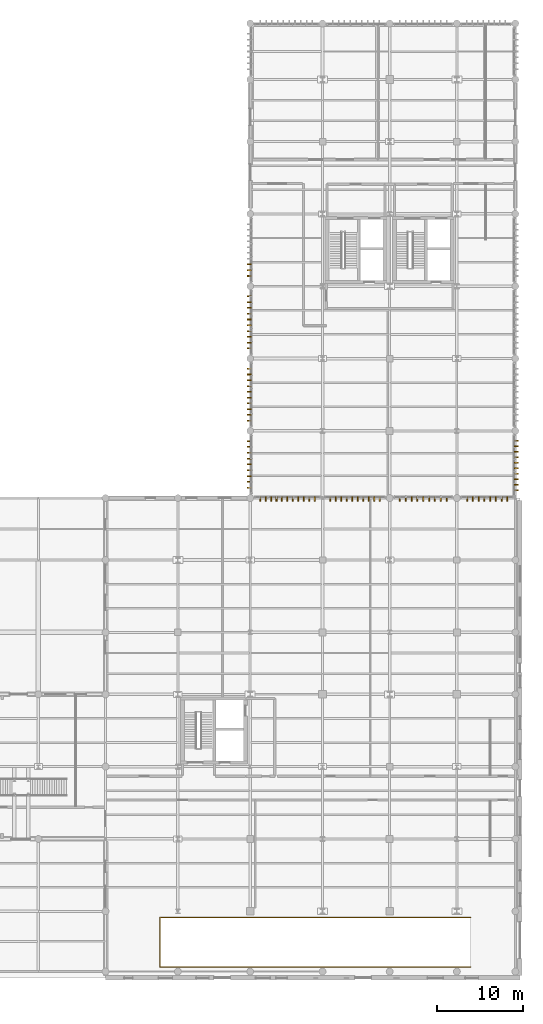
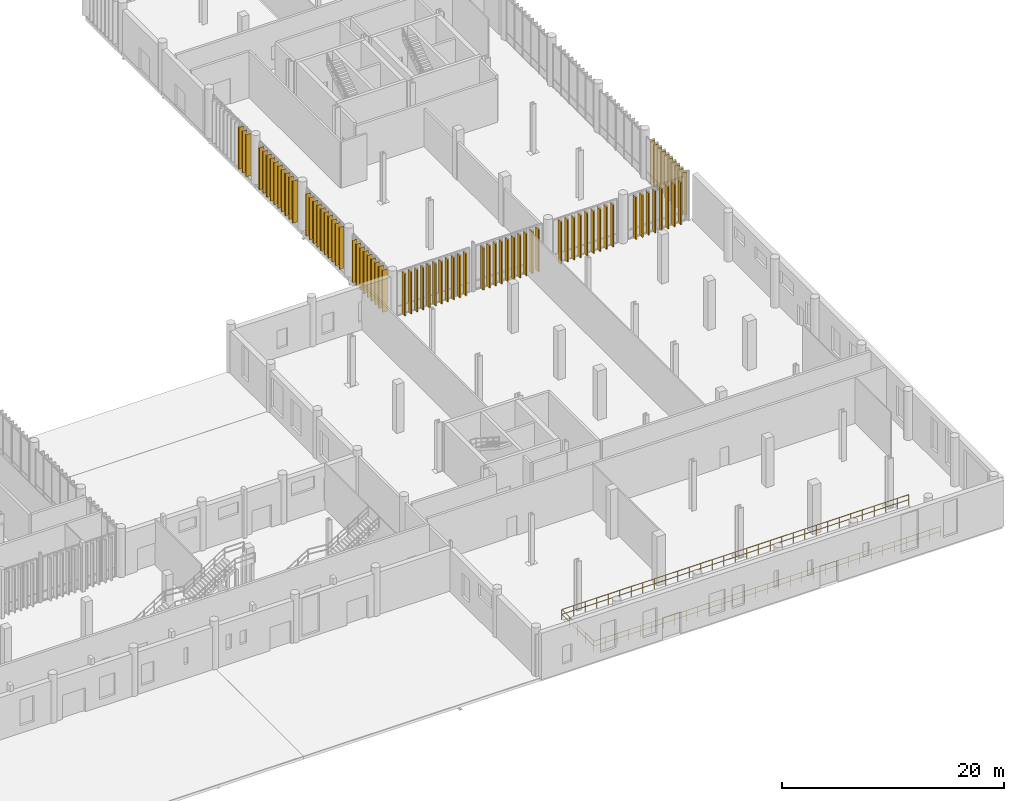
# One storey, part 107 of 112: 80 coverings, 1 railing.
"""IFC4 building model written with IfcOpenShell, lengths in metres."""

from ifc_helpers import new_model, si_unit, direction, frame, frame_2d, origin_with_axes, origin_2d_with_axis, place, context, subcontext, project, spatial, rectangle, circle, extrude, material, type_object, element, save


model = new_model("IFC4")

# Units and contexts
model_context = context("Model", 3, precision=1e-05, world=origin_with_axes(), true_north=direction((0.0, 1.0)))
body_context = subcontext(model_context, "Body", "Model", "MODEL_VIEW")
ifc_project = project(units=[si_unit("LENGTHUNIT", "METRE"), si_unit("AREAUNIT", "SQUARE_METRE"), si_unit("VOLUMEUNIT", "CUBIC_METRE"), si_unit("PLANEANGLEUNIT", "RADIAN"), si_unit("MASSUNIT", "GRAM", prefix="KILO"), si_unit("THERMODYNAMICTEMPERATUREUNIT", "KELVIN")], contexts=[model_context])

# Site, building, storey
site_placement = place(None, origin_with_axes())
site = spatial("IfcSite", under=ifc_project, at=site_placement, CompositionType="ELEMENT")
building_placement = place(site_placement, origin_with_axes())
building = spatial("IfcBuilding", under=site, at=building_placement, Name="Montbau Bow Law Courts", CompositionType="ELEMENT")
storey_placement = place(building_placement, origin_with_axes())
storey = spatial("IfcBuildingStorey", under=building, at=storey_placement, Name="L00", CompositionType="ELEMENT", Elevation=0.0)

# Coverings
ifc_material_1 = material(Name="Freeze-Thaw Glazed Slate-Grey Ceramic Vertical Louvre", Category="masonry")
covering_type = type_object("IfcCoveringType", Name="CV-LVR-SLT", PredefinedType="CLADDING", material=ifc_material_1)
for number, where, z_axis, x_axis, name in (
    (1, (139.75, 61.93, 0.0), (-1.0, 0.0, 0.0), (0.0, -1.0, 0.0), "CLV-L00-2279:cov_2324"),
    (2, (140.384, 61.93, 0.0), (-1.0, 0.0, 0.0), (0.0, -1.0, 0.0), "CLV-L00-2280:cov_2325"),
    (3, (141.019, 61.93, 0.0), (-1.0, 0.0, 0.0), (0.0, -1.0, 0.0), "CLV-L00-2281:cov_2326"),
    (4, (141.654, 61.93, 0.0), (-1.0, 0.0, 0.0), (0.0, -1.0, 0.0), "CLV-L00-2282:cov_2327"),
    (5, (142.289, 61.93, 0.0), (-1.0, 0.0, 0.0), (0.0, -1.0, 0.0), "CLV-L00-2283:cov_2328"),
    (6, (142.923, 61.93, 0.0), (-1.0, 0.0, 0.0), (0.0, -1.0, 0.0), "CLV-L00-2284:cov_2329"),
    (7, (143.558, 61.93, 0.0), (-1.0, 0.0, 0.0), (0.0, -1.0, 0.0), "CLV-L00-2285:cov_2330"),
    (8, (144.193, 61.93, 0.0), (-1.0, 0.0, 0.0), (0.0, -1.0, 0.0), "CLV-L00-2286:cov_2331"),
    (9, (144.828, 61.93, 0.0), (-1.0, 0.0, 0.0), (0.0, -1.0, 0.0), "CLV-L00-2287:cov_2332"),
    (10, (145.462, 61.93, 0.0), (-1.0, 0.0, 0.0), (0.0, -1.0, 0.0), "CLV-L00-2288:cov_2333"),
    (11, (146.097, 61.93, 0.0), (-1.0, 0.0, 0.0), (0.0, -1.0, 0.0), "CLV-L00-2289:cov_2334"),
    (12, (147.906, 61.93, 0.0), (-1.0, 0.0, 0.0), (0.0, -1.0, 0.0), "CLV-L00-2290:cov_2335"),
    (13, (148.544, 61.93, 0.0), (-1.0, 0.0, 0.0), (0.0, -1.0, 0.0), "CLV-L00-2291:cov_2336"),
    (14, (149.182, 61.93, 0.0), (-1.0, 0.0, 0.0), (0.0, -1.0, 0.0), "CLV-L00-2292:cov_2337"),
    (15, (149.82, 61.93, 0.0), (-1.0, 0.0, 0.0), (0.0, -1.0, 0.0), "CLV-L00-2293:cov_2338"),
    (16, (150.458, 61.93, 0.0), (-1.0, 0.0, 0.0), (0.0, -1.0, 0.0), "CLV-L00-2294:cov_2339"),
    (17, (151.095, 61.93, 0.0), (-1.0, 0.0, 0.0), (0.0, -1.0, 0.0), "CLV-L00-2295:cov_2340"),
    (18, (151.733, 61.93, 0.0), (-1.0, 0.0, 0.0), (0.0, -1.0, 0.0), "CLV-L00-2296:cov_2341"),
    (19, (152.371, 61.93, 0.0), (-1.0, 0.0, 0.0), (0.0, -1.0, 0.0), "CLV-L00-2297:cov_2342"),
    (20, (153.009, 61.93, 0.0), (-1.0, 0.0, 0.0), (0.0, -1.0, 0.0), "CLV-L00-2298:cov_2343"),
    (21, (153.647, 61.93, 0.0), (-1.0, 0.0, 0.0), (0.0, -1.0, 0.0), "CLV-L00-2299:cov_2344"),
    (22, (155.992, 61.93, 0.0), (-1.0, 0.0, 0.0), (0.0, -1.0, 0.0), "CLV-L00-2300:cov_2345"),
    (23, (156.669, 61.93, 0.0), (-1.0, 0.0, 0.0), (0.0, -1.0, 0.0), "CLV-L00-2301:cov_2346"),
    (24, (157.346, 61.93, 0.0), (-1.0, 0.0, 0.0), (0.0, -1.0, 0.0), "CLV-L00-2302:cov_2347"),
    (25, (158.023, 61.93, 0.0), (-1.0, 0.0, 0.0), (0.0, -1.0, 0.0), "CLV-L00-2303:cov_2348"),
    (26, (158.7, 61.93, 0.0), (-1.0, 0.0, 0.0), (0.0, -1.0, 0.0), "CLV-L00-2304:cov_2349"),
    (27, (159.377, 61.93, 0.0), (-1.0, 0.0, 0.0), (0.0, -1.0, 0.0), "CLV-L00-2305:cov_2350"),
    (28, (160.054, 61.93, 0.0), (-1.0, 0.0, 0.0), (0.0, -1.0, 0.0), "CLV-L00-2306:cov_2351"),
    (29, (160.731, 61.93, 0.0), (-1.0, 0.0, 0.0), (0.0, -1.0, 0.0), "CLV-L00-2307:cov_2352"),
    (30, (161.408, 61.93, 0.0), (-1.0, 0.0, 0.0), (0.0, -1.0, 0.0), "CLV-L00-2308:cov_2353"),
    (31, (163.784, 61.93, 0.0), (-1.0, 0.0, 0.0), (0.0, -1.0, 0.0), "CLV-L00-2309:cov_2354"),
    (32, (164.452, 61.93, 0.0), (-1.0, 0.0, 0.0), (0.0, -1.0, 0.0), "CLV-L00-2310:cov_2355"),
    (33, (165.121, 61.93, 0.0), (-1.0, 0.0, 0.0), (0.0, -1.0, 0.0), "CLV-L00-2311:cov_2356"),
    (34, (165.789, 61.93, 0.0), (-1.0, 0.0, 0.0), (0.0, -1.0, 0.0), "CLV-L00-2312:cov_2357"),
    (35, (166.458, 61.93, 0.0), (-1.0, 0.0, 0.0), (0.0, -1.0, 0.0), "CLV-L00-2313:cov_2358"),
    (36, (167.126, 61.93, 0.0), (-1.0, 0.0, 0.0), (0.0, -1.0, 0.0), "CLV-L00-2314:cov_2359"),
    (37, (167.795, 61.93, 0.0), (-1.0, 0.0, 0.0), (0.0, -1.0, 0.0), "CLV-L00-2315:cov_2360"),
    (38, (168.463, 61.93, 0.0), (-1.0, 0.0, 0.0), (0.0, -1.0, 0.0), "CLV-L00-2316:cov_2361"),
    (39, (138.73, 62.992, 0.0), (0.0, 1.0, 0.0), (-1.0, 0.0, 0.0), "CLV-L00-2353:cov_2398"),
    (40, (138.73, 63.669, 0.0), (0.0, 1.0, 0.0), (-1.0, 0.0, 0.0), "CLV-L00-2354:cov_2399"),
    (41, (138.73, 64.346, 0.0), (0.0, 1.0, 0.0), (-1.0, 0.0, 0.0), "CLV-L00-2355:cov_2400"),
    (42, (138.73, 65.023, 0.0), (0.0, 1.0, 0.0), (-1.0, 0.0, 0.0), "CLV-L00-2356:cov_2401"),
    (43, (138.73, 65.7, 0.0), (0.0, 1.0, 0.0), (-1.0, 0.0, 0.0), "CLV-L00-2357:cov_2402"),
    (44, (138.73, 66.377, 0.0), (0.0, 1.0, 0.0), (-1.0, 0.0, 0.0), "CLV-L00-2358:cov_2403"),
    (45, (138.73, 67.054, 0.0), (0.0, 1.0, 0.0), (-1.0, 0.0, 0.0), "CLV-L00-2359:cov_2404"),
    (46, (138.73, 67.731, 0.0), (0.0, 1.0, 0.0), (-1.0, 0.0, 0.0), "CLV-L00-2360:cov_2405"),
    (47, (138.73, 68.408, 0.0), (0.0, 1.0, 0.0), (-1.0, 0.0, 0.0), "CLV-L00-2361:cov_2406"),
    (48, (138.73, 70.785, 0.0), (0.0, 1.0, 0.0), (-1.0, 0.0, 0.0), "CLV-L00-2362:cov_2407"),
    (49, (138.73, 71.455, 0.0), (0.0, 1.0, 0.0), (-1.0, 0.0, 0.0), "CLV-L00-2363:cov_2408"),
    (50, (138.73, 72.125, 0.0), (0.0, 1.0, 0.0), (-1.0, 0.0, 0.0), "CLV-L00-2364:cov_2409"),
    (51, (138.73, 72.795, 0.0), (0.0, 1.0, 0.0), (-1.0, 0.0, 0.0), "CLV-L00-2365:cov_2410"),
    (52, (138.73, 73.465, 0.0), (0.0, 1.0, 0.0), (-1.0, 0.0, 0.0), "CLV-L00-2366:cov_2411"),
    (53, (138.73, 74.135, 0.0), (0.0, 1.0, 0.0), (-1.0, 0.0, 0.0), "CLV-L00-2367:cov_2412"),
    (54, (138.73, 74.805, 0.0), (0.0, 1.0, 0.0), (-1.0, 0.0, 0.0), "CLV-L00-2368:cov_2413"),
    (55, (138.73, 75.475, 0.0), (0.0, 1.0, 0.0), (-1.0, 0.0, 0.0), "CLV-L00-2369:cov_2414"),
    (56, (138.73, 76.145, 0.0), (0.0, 1.0, 0.0), (-1.0, 0.0, 0.0), "CLV-L00-2370:cov_2415"),
    (57, (138.73, 76.815, 0.0), (0.0, 1.0, 0.0), (-1.0, 0.0, 0.0), "CLV-L00-2371:cov_2416"),
    (58, (138.73, 79.185, 0.0), (0.0, 1.0, 0.0), (-1.0, 0.0, 0.0), "CLV-L00-2372:cov_2417"),
    (59, (138.73, 79.855, 0.0), (0.0, 1.0, 0.0), (-1.0, 0.0, 0.0), "CLV-L00-2373:cov_2418"),
    (60, (138.73, 80.525, 0.0), (0.0, 1.0, 0.0), (-1.0, 0.0, 0.0), "CLV-L00-2374:cov_2419"),
    (61, (138.73, 81.195, 0.0), (0.0, 1.0, 0.0), (-1.0, 0.0, 0.0), "CLV-L00-2375:cov_2420"),
    (62, (138.73, 81.865, 0.0), (0.0, 1.0, 0.0), (-1.0, 0.0, 0.0), "CLV-L00-2376:cov_2421"),
    (63, (138.73, 82.535, 0.0), (0.0, 1.0, 0.0), (-1.0, 0.0, 0.0), "CLV-L00-2377:cov_2422"),
    (64, (138.73, 83.205, 0.0), (0.0, 1.0, 0.0), (-1.0, 0.0, 0.0), "CLV-L00-2378:cov_2423"),
    (65, (138.73, 83.875, 0.0), (0.0, 1.0, 0.0), (-1.0, 0.0, 0.0), "CLV-L00-2379:cov_2424"),
    (66, (138.73, 84.545, 0.0), (0.0, 1.0, 0.0), (-1.0, 0.0, 0.0), "CLV-L00-2380:cov_2425"),
    (67, (138.73, 85.215, 0.0), (0.0, 1.0, 0.0), (-1.0, 0.0, 0.0), "CLV-L00-2381:cov_2426"),
    (68, (138.73, 87.585, 0.0), (0.0, 1.0, 0.0), (-1.0, 0.0, 0.0), "CLV-L00-2382:cov_2427"),
    (69, (138.73, 88.255, 0.0), (0.0, 1.0, 0.0), (-1.0, 0.0, 0.0), "CLV-L00-2383:cov_2428"),
    (70, (138.73, 88.925, 0.0), (0.0, 1.0, 0.0), (-1.0, 0.0, 0.0), "CLV-L00-2384:cov_2429"),
    (71, (169.27, 62.706, 0.0), (0.0, -1.0, 0.0), (1.0, 0.0, 0.0), "CLV-L00-2399:cov_2444"),
    (72, (169.27, 63.344, 0.0), (0.0, -1.0, 0.0), (1.0, 0.0, 0.0), "CLV-L00-2400:cov_2445"),
    (73, (169.27, 63.982, 0.0), (0.0, -1.0, 0.0), (1.0, 0.0, 0.0), "CLV-L00-2401:cov_2446"),
    (74, (169.27, 64.62, 0.0), (0.0, -1.0, 0.0), (1.0, 0.0, 0.0), "CLV-L00-2402:cov_2447"),
    (75, (169.27, 65.258, 0.0), (0.0, -1.0, 0.0), (1.0, 0.0, 0.0), "CLV-L00-2403:cov_2448"),
    (76, (169.27, 65.895, 0.0), (0.0, -1.0, 0.0), (1.0, 0.0, 0.0), "CLV-L00-2404:cov_2449"),
    (77, (169.27, 66.533, 0.0), (0.0, -1.0, 0.0), (1.0, 0.0, 0.0), "CLV-L00-2405:cov_2450"),
    (78, (169.27, 67.171, 0.0), (0.0, -1.0, 0.0), (1.0, 0.0, 0.0), "CLV-L00-2406:cov_2451"),
    (79, (169.27, 67.809, 0.0), (0.0, -1.0, 0.0), (1.0, 0.0, 0.0), "CLV-L00-2407:cov_2452"),
    (80, (169.27, 68.447, 0.0), (0.0, -1.0, 0.0), (1.0, 0.0, 0.0), "CLV-L00-2408:cov_2453"),
):
    element("IfcCovering", number, at=place(None, frame(where, z_axis=z_axis, x_axis=x_axis)), inside=storey, type_object=covering_type, Name=name, PredefinedType="CLADDING", context=body_context, shape_type="SweptSolid", body=[
        extrude(rectangle(XDim=0.48, YDim=4.64, at=frame_2d((0.24, 2.32), x_axis=(1.0, 0.0))), frame((0.0, 0.0, -0.06), z_axis=(0.0, 0.0, 1.0), x_axis=(1.0, 0.0, 0.0)), (0.0, 0.0, 1.0), 0.12),
    ])

# Railing
ifc_material_2 = material(Name="Brushed Stainless Steel AISI 316L Guardrail", Category="steel")
railing_type = type_object("IfcRailingType", Name="RL-GRD-1120", PredefinedType="GUARDRAIL", material=ifc_material_2)
railing_placement = place(None, origin_with_axes())
element("IfcRailing", 81, at=railing_placement, inside=storey, type_object=railing_type, Name="GRD-RSP1-VOID:rlg_0298", PredefinedType="GUARDRAIL", context=body_context, shape_type="SweptSolid", body=[
    extrude(circle(Radius=0.025, at=origin_2d_with_axis()), frame((164.2, 7.32, 1.122), z_axis=(-1.0, 0.0, 0.0), x_axis=(0.0, 0.0, 1.0)), (0.0, 0.0, 1.0), 36.0475),
    extrude(circle(Radius=0.022500000000000003, at=origin_2d_with_axis()), frame((164.2, 7.32, 0.5824), z_axis=(-1.0, 0.0, 0.0), x_axis=(0.0, 0.0, 1.0)), (0.0, 0.0, 1.0), 36.0475),
    extrude(circle(Radius=0.022500000000000003, at=origin_2d_with_axis()), frame((164.2, 7.32, 0.0), z_axis=(0.0, 0.0, 1.0), x_axis=(1.0, 0.0, 0.0)), (0.0, 0.0, 1.0), 1.0925),
    extrude(circle(Radius=0.022500000000000003, at=origin_2d_with_axis()), frame((162.997333, 7.32, 0.0), z_axis=(0.0, 0.0, 1.0), x_axis=(1.0, 0.0, 0.0)), (0.0, 0.0, 1.0), 1.0925),
    extrude(circle(Radius=0.022500000000000003, at=origin_2d_with_axis()), frame((161.794667, 7.32, 0.0), z_axis=(0.0, 0.0, 1.0), x_axis=(1.0, 0.0, 0.0)), (0.0, 0.0, 1.0), 1.0925),
    extrude(circle(Radius=0.022500000000000003, at=origin_2d_with_axis()), frame((160.592, 7.32, 0.0), z_axis=(0.0, 0.0, 1.0), x_axis=(1.0, 0.0, 0.0)), (0.0, 0.0, 1.0), 1.0925),
    extrude(circle(Radius=0.022500000000000003, at=origin_2d_with_axis()), frame((159.389333, 7.32, 0.0), z_axis=(0.0, 0.0, 1.0), x_axis=(1.0, 0.0, 0.0)), (0.0, 0.0, 1.0), 1.0925),
    extrude(circle(Radius=0.022500000000000003, at=origin_2d_with_axis()), frame((158.186667, 7.32, 0.0), z_axis=(0.0, 0.0, 1.0), x_axis=(1.0, 0.0, 0.0)), (0.0, 0.0, 1.0), 1.0925),
    extrude(circle(Radius=0.022500000000000003, at=origin_2d_with_axis()), frame((156.984, 7.32, 0.0), z_axis=(0.0, 0.0, 1.0), x_axis=(1.0, 0.0, 0.0)), (0.0, 0.0, 1.0), 1.0925),
    extrude(circle(Radius=0.022500000000000003, at=origin_2d_with_axis()), frame((155.781333, 7.32, 0.0), z_axis=(0.0, 0.0, 1.0), x_axis=(1.0, 0.0, 0.0)), (0.0, 0.0, 1.0), 1.0925),
    extrude(circle(Radius=0.022500000000000003, at=origin_2d_with_axis()), frame((154.578667, 7.32, 0.0), z_axis=(0.0, 0.0, 1.0), x_axis=(1.0, 0.0, 0.0)), (0.0, 0.0, 1.0), 1.0925),
    extrude(circle(Radius=0.022500000000000003, at=origin_2d_with_axis()), frame((153.376, 7.32, 0.0), z_axis=(0.0, 0.0, 1.0), x_axis=(1.0, 0.0, 0.0)), (0.0, 0.0, 1.0), 1.0925),
    extrude(circle(Radius=0.022500000000000003, at=origin_2d_with_axis()), frame((152.173333, 7.32, 0.0), z_axis=(0.0, 0.0, 1.0), x_axis=(1.0, 0.0, 0.0)), (0.0, 0.0, 1.0), 1.0925),
    extrude(circle(Radius=0.022500000000000003, at=origin_2d_with_axis()), frame((150.970667, 7.32, 0.0), z_axis=(0.0, 0.0, 1.0), x_axis=(1.0, 0.0, 0.0)), (0.0, 0.0, 1.0), 1.0925),
    extrude(circle(Radius=0.022500000000000003, at=origin_2d_with_axis()), frame((149.768, 7.32, 0.0), z_axis=(0.0, 0.0, 1.0), x_axis=(1.0, 0.0, 0.0)), (0.0, 0.0, 1.0), 1.0925),
    extrude(circle(Radius=0.022500000000000003, at=origin_2d_with_axis()), frame((148.565333, 7.32, 0.0), z_axis=(0.0, 0.0, 1.0), x_axis=(1.0, 0.0, 0.0)), (0.0, 0.0, 1.0), 1.0925),
    extrude(circle(Radius=0.022500000000000003, at=origin_2d_with_axis()), frame((147.362667, 7.32, 0.0), z_axis=(0.0, 0.0, 1.0), x_axis=(1.0, 0.0, 0.0)), (0.0, 0.0, 1.0), 1.0925),
    extrude(circle(Radius=0.022500000000000003, at=origin_2d_with_axis()), frame((146.16, 7.32, 0.0), z_axis=(0.0, 0.0, 1.0), x_axis=(1.0, 0.0, 0.0)), (0.0, 0.0, 1.0), 1.0925),
    extrude(circle(Radius=0.022500000000000003, at=origin_2d_with_axis()), frame((144.957333, 7.32, 0.0), z_axis=(0.0, 0.0, 1.0), x_axis=(1.0, 0.0, 0.0)), (0.0, 0.0, 1.0), 1.0925),
    extrude(circle(Radius=0.022500000000000003, at=origin_2d_with_axis()), frame((143.754667, 7.32, 0.0), z_axis=(0.0, 0.0, 1.0), x_axis=(1.0, 0.0, 0.0)), (0.0, 0.0, 1.0), 1.0925),
    extrude(circle(Radius=0.022500000000000003, at=origin_2d_with_axis()), frame((142.552, 7.32, 0.0), z_axis=(0.0, 0.0, 1.0), x_axis=(1.0, 0.0, 0.0)), (0.0, 0.0, 1.0), 1.0925),
    extrude(circle(Radius=0.022500000000000003, at=origin_2d_with_axis()), frame((141.349333, 7.32, 0.0), z_axis=(0.0, 0.0, 1.0), x_axis=(1.0, 0.0, 0.0)), (0.0, 0.0, 1.0), 1.0925),
    extrude(circle(Radius=0.022500000000000003, at=origin_2d_with_axis()), frame((140.146667, 7.32, 0.0), z_axis=(0.0, 0.0, 1.0), x_axis=(1.0, 0.0, 0.0)), (0.0, 0.0, 1.0), 1.0925),
    extrude(circle(Radius=0.022500000000000003, at=origin_2d_with_axis()), frame((138.944, 7.32, 0.0), z_axis=(0.0, 0.0, 1.0), x_axis=(1.0, 0.0, 0.0)), (0.0, 0.0, 1.0), 1.0925),
    extrude(circle(Radius=0.022500000000000003, at=origin_2d_with_axis()), frame((137.741333, 7.32, 0.0), z_axis=(0.0, 0.0, 1.0), x_axis=(1.0, 0.0, 0.0)), (0.0, 0.0, 1.0), 1.0925),
    extrude(circle(Radius=0.022500000000000003, at=origin_2d_with_axis()), frame((136.538667, 7.32, 0.0), z_axis=(0.0, 0.0, 1.0), x_axis=(1.0, 0.0, 0.0)), (0.0, 0.0, 1.0), 1.0925),
    extrude(circle(Radius=0.022500000000000003, at=origin_2d_with_axis()), frame((135.336, 7.32, 0.0), z_axis=(0.0, 0.0, 1.0), x_axis=(1.0, 0.0, 0.0)), (0.0, 0.0, 1.0), 1.0925),
    extrude(circle(Radius=0.022500000000000003, at=origin_2d_with_axis()), frame((134.133333, 7.32, 0.0), z_axis=(0.0, 0.0, 1.0), x_axis=(1.0, 0.0, 0.0)), (0.0, 0.0, 1.0), 1.0925),
    extrude(circle(Radius=0.022500000000000003, at=origin_2d_with_axis()), frame((132.930667, 7.32, 0.0), z_axis=(0.0, 0.0, 1.0), x_axis=(1.0, 0.0, 0.0)), (0.0, 0.0, 1.0), 1.0925),
    extrude(circle(Radius=0.022500000000000003, at=origin_2d_with_axis()), frame((131.728, 7.32, 0.0), z_axis=(0.0, 0.0, 1.0), x_axis=(1.0, 0.0, 0.0)), (0.0, 0.0, 1.0), 1.0925),
    extrude(circle(Radius=0.022500000000000003, at=origin_2d_with_axis()), frame((130.525333, 7.32, 0.0), z_axis=(0.0, 0.0, 1.0), x_axis=(1.0, 0.0, 0.0)), (0.0, 0.0, 1.0), 1.0925),
    extrude(circle(Radius=0.022500000000000003, at=origin_2d_with_axis()), frame((129.322667, 7.32, 0.0), z_axis=(0.0, 0.0, 1.0), x_axis=(1.0, 0.0, 0.0)), (0.0, 0.0, 1.0), 1.0925),
    extrude(circle(Radius=0.022500000000000003, at=origin_2d_with_axis()), frame((128.12, 7.32, 0.0), z_axis=(0.0, 0.0, 1.0), x_axis=(1.0, 0.0, 0.0)), (0.0, 0.0, 1.0), 1.0925),
    extrude(circle(Radius=0.025, at=origin_2d_with_axis()), frame((128.12, 7.3525, 1.122), z_axis=(0.0, 1.0, 0.0), x_axis=(0.0, 0.0, 1.0)), (0.0, 0.0, 1.0), 5.695),
    extrude(circle(Radius=0.022500000000000003, at=origin_2d_with_axis()), frame((128.12, 7.3525, 0.5824), z_axis=(0.0, 1.0, 0.0), x_axis=(0.0, 0.0, 1.0)), (0.0, 0.0, 1.0), 5.695),
    extrude(circle(Radius=0.022500000000000003, at=origin_2d_with_axis()), frame((128.12, 8.76, 0.0), z_axis=(0.0, 0.0, 1.0), x_axis=(1.0, 0.0, 0.0)), (0.0, 0.0, 1.0), 1.0925),
    extrude(circle(Radius=0.022500000000000003, at=origin_2d_with_axis()), frame((128.12, 10.2, 0.0), z_axis=(0.0, 0.0, 1.0), x_axis=(1.0, 0.0, 0.0)), (0.0, 0.0, 1.0), 1.0925),
    extrude(circle(Radius=0.022500000000000003, at=origin_2d_with_axis()), frame((128.12, 11.64, 0.0), z_axis=(0.0, 0.0, 1.0), x_axis=(1.0, 0.0, 0.0)), (0.0, 0.0, 1.0), 1.0925),
    extrude(circle(Radius=0.022500000000000003, at=origin_2d_with_axis()), frame((128.12, 13.08, 0.0), z_axis=(0.0, 0.0, 1.0), x_axis=(1.0, 0.0, 0.0)), (0.0, 0.0, 1.0), 1.0925),
    extrude(circle(Radius=0.025, at=origin_2d_with_axis()), frame((128.1525, 13.08, 1.122), z_axis=(1.0, 0.0, 0.0), x_axis=(0.0, 0.0, 1.0)), (0.0, 0.0, 1.0), 36.0475),
    extrude(circle(Radius=0.022500000000000003, at=origin_2d_with_axis()), frame((128.1525, 13.08, 0.5824), z_axis=(1.0, 0.0, 0.0), x_axis=(0.0, 0.0, 1.0)), (0.0, 0.0, 1.0), 36.0475),
    extrude(circle(Radius=0.022500000000000003, at=origin_2d_with_axis()), frame((129.322667, 13.08, 0.0), z_axis=(0.0, 0.0, 1.0), x_axis=(1.0, 0.0, 0.0)), (0.0, 0.0, 1.0), 1.0925),
    extrude(circle(Radius=0.022500000000000003, at=origin_2d_with_axis()), frame((130.525333, 13.08, 0.0), z_axis=(0.0, 0.0, 1.0), x_axis=(1.0, 0.0, 0.0)), (0.0, 0.0, 1.0), 1.0925),
    extrude(circle(Radius=0.022500000000000003, at=origin_2d_with_axis()), frame((131.728, 13.08, 0.0), z_axis=(0.0, 0.0, 1.0), x_axis=(1.0, 0.0, 0.0)), (0.0, 0.0, 1.0), 1.0925),
    extrude(circle(Radius=0.022500000000000003, at=origin_2d_with_axis()), frame((132.930667, 13.08, 0.0), z_axis=(0.0, 0.0, 1.0), x_axis=(1.0, 0.0, 0.0)), (0.0, 0.0, 1.0), 1.0925),
    extrude(circle(Radius=0.022500000000000003, at=origin_2d_with_axis()), frame((134.133333, 13.08, 0.0), z_axis=(0.0, 0.0, 1.0), x_axis=(1.0, 0.0, 0.0)), (0.0, 0.0, 1.0), 1.0925),
    extrude(circle(Radius=0.022500000000000003, at=origin_2d_with_axis()), frame((135.336, 13.08, 0.0), z_axis=(0.0, 0.0, 1.0), x_axis=(1.0, 0.0, 0.0)), (0.0, 0.0, 1.0), 1.0925),
    extrude(circle(Radius=0.022500000000000003, at=origin_2d_with_axis()), frame((136.538667, 13.08, 0.0), z_axis=(0.0, 0.0, 1.0), x_axis=(1.0, 0.0, 0.0)), (0.0, 0.0, 1.0), 1.0925),
    extrude(circle(Radius=0.022500000000000003, at=origin_2d_with_axis()), frame((137.741333, 13.08, 0.0), z_axis=(0.0, 0.0, 1.0), x_axis=(1.0, 0.0, 0.0)), (0.0, 0.0, 1.0), 1.0925),
    extrude(circle(Radius=0.022500000000000003, at=origin_2d_with_axis()), frame((138.944, 13.08, 0.0), z_axis=(0.0, 0.0, 1.0), x_axis=(1.0, 0.0, 0.0)), (0.0, 0.0, 1.0), 1.0925),
    extrude(circle(Radius=0.022500000000000003, at=origin_2d_with_axis()), frame((140.146667, 13.08, 0.0), z_axis=(0.0, 0.0, 1.0), x_axis=(1.0, 0.0, 0.0)), (0.0, 0.0, 1.0), 1.0925),
    extrude(circle(Radius=0.022500000000000003, at=origin_2d_with_axis()), frame((141.349333, 13.08, 0.0), z_axis=(0.0, 0.0, 1.0), x_axis=(1.0, 0.0, 0.0)), (0.0, 0.0, 1.0), 1.0925),
    extrude(circle(Radius=0.022500000000000003, at=origin_2d_with_axis()), frame((142.552, 13.08, 0.0), z_axis=(0.0, 0.0, 1.0), x_axis=(1.0, 0.0, 0.0)), (0.0, 0.0, 1.0), 1.0925),
    extrude(circle(Radius=0.022500000000000003, at=origin_2d_with_axis()), frame((143.754667, 13.08, 0.0), z_axis=(0.0, 0.0, 1.0), x_axis=(1.0, 0.0, 0.0)), (0.0, 0.0, 1.0), 1.0925),
    extrude(circle(Radius=0.022500000000000003, at=origin_2d_with_axis()), frame((144.957333, 13.08, 0.0), z_axis=(0.0, 0.0, 1.0), x_axis=(1.0, 0.0, 0.0)), (0.0, 0.0, 1.0), 1.0925),
    extrude(circle(Radius=0.022500000000000003, at=origin_2d_with_axis()), frame((146.16, 13.08, 0.0), z_axis=(0.0, 0.0, 1.0), x_axis=(1.0, 0.0, 0.0)), (0.0, 0.0, 1.0), 1.0925),
    extrude(circle(Radius=0.022500000000000003, at=origin_2d_with_axis()), frame((147.362667, 13.08, 0.0), z_axis=(0.0, 0.0, 1.0), x_axis=(1.0, 0.0, 0.0)), (0.0, 0.0, 1.0), 1.0925),
    extrude(circle(Radius=0.022500000000000003, at=origin_2d_with_axis()), frame((148.565333, 13.08, 0.0), z_axis=(0.0, 0.0, 1.0), x_axis=(1.0, 0.0, 0.0)), (0.0, 0.0, 1.0), 1.0925),
    extrude(circle(Radius=0.022500000000000003, at=origin_2d_with_axis()), frame((149.768, 13.08, 0.0), z_axis=(0.0, 0.0, 1.0), x_axis=(1.0, 0.0, 0.0)), (0.0, 0.0, 1.0), 1.0925),
    extrude(circle(Radius=0.022500000000000003, at=origin_2d_with_axis()), frame((150.970667, 13.08, 0.0), z_axis=(0.0, 0.0, 1.0), x_axis=(1.0, 0.0, 0.0)), (0.0, 0.0, 1.0), 1.0925),
    extrude(circle(Radius=0.022500000000000003, at=origin_2d_with_axis()), frame((152.173333, 13.08, 0.0), z_axis=(0.0, 0.0, 1.0), x_axis=(1.0, 0.0, 0.0)), (0.0, 0.0, 1.0), 1.0925),
    extrude(circle(Radius=0.022500000000000003, at=origin_2d_with_axis()), frame((153.376, 13.08, 0.0), z_axis=(0.0, 0.0, 1.0), x_axis=(1.0, 0.0, 0.0)), (0.0, 0.0, 1.0), 1.0925),
    extrude(circle(Radius=0.022500000000000003, at=origin_2d_with_axis()), frame((154.578667, 13.08, 0.0), z_axis=(0.0, 0.0, 1.0), x_axis=(1.0, 0.0, 0.0)), (0.0, 0.0, 1.0), 1.0925),
    extrude(circle(Radius=0.022500000000000003, at=origin_2d_with_axis()), frame((155.781333, 13.08, 0.0), z_axis=(0.0, 0.0, 1.0), x_axis=(1.0, 0.0, 0.0)), (0.0, 0.0, 1.0), 1.0925),
    extrude(circle(Radius=0.022500000000000003, at=origin_2d_with_axis()), frame((156.984, 13.08, 0.0), z_axis=(0.0, 0.0, 1.0), x_axis=(1.0, 0.0, 0.0)), (0.0, 0.0, 1.0), 1.0925),
    extrude(circle(Radius=0.022500000000000003, at=origin_2d_with_axis()), frame((158.186667, 13.08, 0.0), z_axis=(0.0, 0.0, 1.0), x_axis=(1.0, 0.0, 0.0)), (0.0, 0.0, 1.0), 1.0925),
    extrude(circle(Radius=0.022500000000000003, at=origin_2d_with_axis()), frame((159.389333, 13.08, 0.0), z_axis=(0.0, 0.0, 1.0), x_axis=(1.0, 0.0, 0.0)), (0.0, 0.0, 1.0), 1.0925),
    extrude(circle(Radius=0.022500000000000003, at=origin_2d_with_axis()), frame((160.592, 13.08, 0.0), z_axis=(0.0, 0.0, 1.0), x_axis=(1.0, 0.0, 0.0)), (0.0, 0.0, 1.0), 1.0925),
    extrude(circle(Radius=0.022500000000000003, at=origin_2d_with_axis()), frame((161.794667, 13.08, 0.0), z_axis=(0.0, 0.0, 1.0), x_axis=(1.0, 0.0, 0.0)), (0.0, 0.0, 1.0), 1.0925),
    extrude(circle(Radius=0.022500000000000003, at=origin_2d_with_axis()), frame((162.997333, 13.08, 0.0), z_axis=(0.0, 0.0, 1.0), x_axis=(1.0, 0.0, 0.0)), (0.0, 0.0, 1.0), 1.0925),
    extrude(circle(Radius=0.022500000000000003, at=origin_2d_with_axis()), frame((164.2, 13.08, 0.0), z_axis=(0.0, 0.0, 1.0), x_axis=(1.0, 0.0, 0.0)), (0.0, 0.0, 1.0), 1.0925),
])

save(model, "model.ifc")
